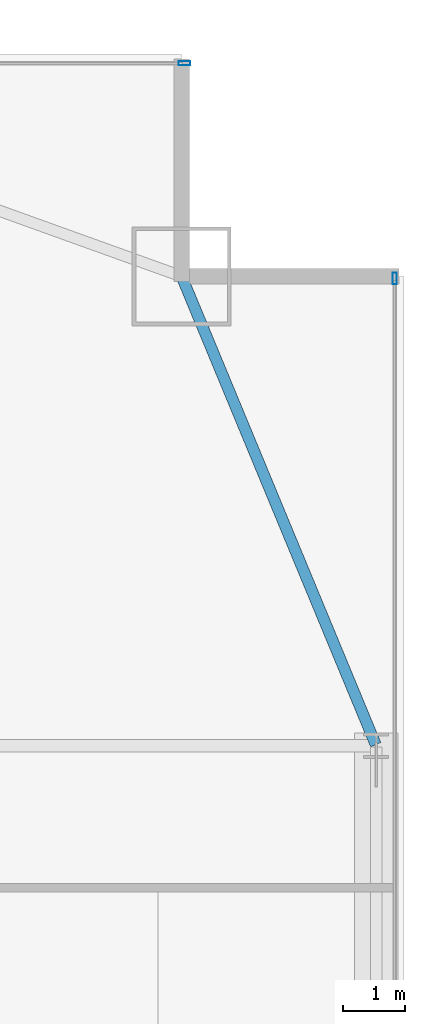
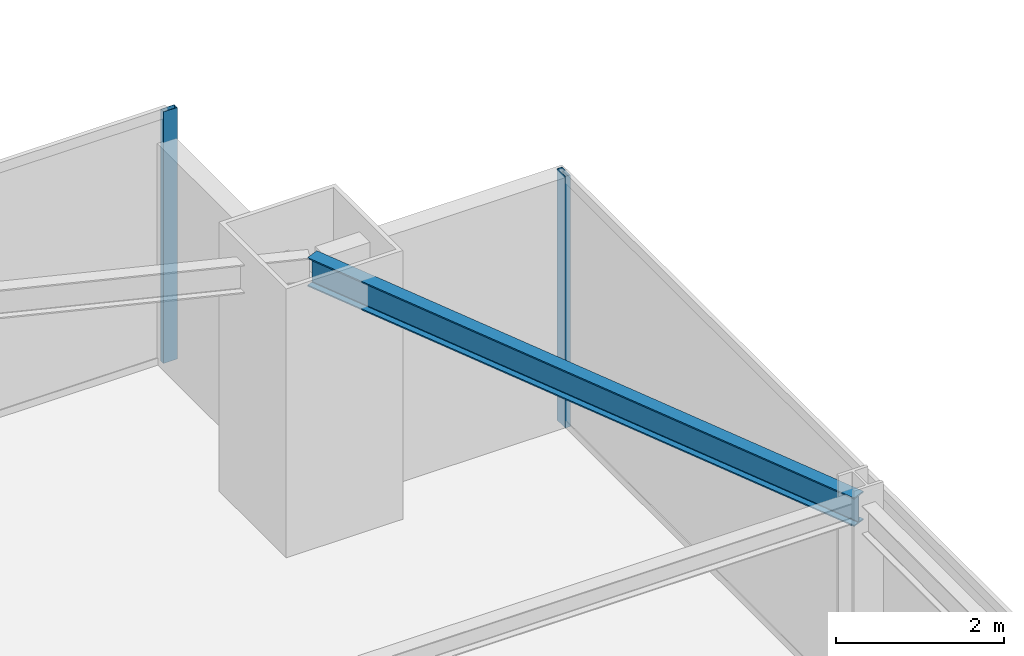
# One storey, part 24 of 32: 2 members, 1 beam, 2 elements without a shape of their own.
"""IFC4 building model written with IfcOpenShell, lengths in metres."""

from ifc_helpers import new_model, si_unit, direction, frame, origin, origin_2d, place, context, subcontext, project, spatial, hollow_rectangle, i_section, extrude, source, transform, mapped, material, layer, layer_set, material_profile, profile_set, type_object, type_shapes, element, aggregate, save


model = new_model("IFC4")

# Units and contexts
model_context = context("Model", 3, precision=1e-05, world=origin(), true_north=direction((0.0, 1.0)))
body_context = subcontext(model_context, "Body", "Model", "MODEL_VIEW")
ifc_project = project(units=[si_unit("LENGTHUNIT", "METRE"), si_unit("AREAUNIT", "SQUARE_METRE"), si_unit("VOLUMEUNIT", "CUBIC_METRE"), si_unit("PLANEANGLEUNIT", "RADIAN"), si_unit("MASSUNIT", "GRAM", prefix="KILO")], contexts=[model_context])

# Site, building, storey
site_placement = place(None, origin())
site = spatial("IfcSite", under=ifc_project, at=site_placement, CompositionType="ELEMENT")
building_placement = place(site_placement, origin())
building = spatial("IfcBuilding", under=site, at=building_placement, Name="Varnel Quay Broadcast Tower", CompositionType="ELEMENT")
storey_placement = place(building_placement, frame((0.0, 0.0, 43.199951171875)))
storey = spatial("IfcBuildingStorey", under=building, at=storey_placement, Name="L09", CompositionType="ELEMENT", Elevation=43.199951171875)

# Beam
ifc_material_1 = material(Name="Structural Steel CSA G40.21 350W", Category="steel")
ifc_material_profile_1 = material_profile(ifc_material_1, i_section(OverallWidth=0.180908203125, OverallDepth=0.4169921875, WebThickness=0.010986328125, FlangeThickness=0.018310546875, FilletRadius=0.011962890625, at=origin_2d()), Name="W410X85")
ifc_profile_set_1 = profile_set([ifc_material_profile_1], Name="Structural Steel CSA G40.21 350W")
beam_type = type_object("IfcBeamType", Name="Beam_W410X85", PredefinedType="SPANDREL", material=ifc_profile_set_1)
shared_shape_1 = source(origin(), body_context, "Body", "SweptSolid", [
    extrude(i_section(OverallWidth=0.180908203125, OverallDepth=0.4169921875, WebThickness=0.010986328125, FlangeThickness=0.018310546875, FilletRadius=0.011962890625, at=origin_2d()), origin(), (0.0, 0.0, 1.0), 8.186767578125),
])
type_shapes(beam_type, [shared_shape_1])
beam_placement = place(storey_placement, frame((65.542236328125, 35.618408203125, 3.441650390625), z_axis=(-0.382874132092, 0.923800519038, 0.0), x_axis=(-0.923800519038, -0.382874132092, 0.0)))
element("IfcBeam", 1, at=beam_placement, inside=storey, type_object=beam_type, Name="L09 East Spandrel TC-E3-MC-NE", PredefinedType="SPANDREL", context=body_context, shape_type="MappedRepresentation", body=[
    mapped(shared_shape_1, transform((0.0, 0.0, 0.0), x_axis=(1.0, 0.0, 0.0), y_axis=(0.0, 1.0, 0.0), z_axis=(0.0, 0.0, 1.0), scale=1.0)),
])

# Curtain wall, member
ifc_material_2 = material(Name="Anodised Bronze Aluminium 6063-T6", Category="aluminium")
ifc_layer = layer(ifc_material_2, 0.18994140625, Name="Anodised Bronze Aluminium 6063-T6")
ifc_layer_set = layer_set([ifc_layer], Name="Anodised Bronze Aluminium 6063-T6")
curtain_wall_type = type_object("IfcCurtainWallType", Name="CW_LowerTower", PredefinedType="NOTDEFINED", material=ifc_layer_set)
curtain_wall_1_placement = place(storey_placement, origin())
curtain_wall_1 = element("IfcCurtainWall", 2, at=curtain_wall_1_placement, inside=storey, type_object=curtain_wall_type, Name="L09 East Unitised Curtain Wall", PredefinedType="NOTDEFINED")
ifc_material_profile_2 = material_profile(ifc_material_2, hollow_rectangle(XDim=0.070068359375, YDim=0.18994140625, WallThickness=0.00390625, at=origin_2d()), Name="ALU70X190X4")
ifc_profile_set_2 = profile_set([ifc_material_profile_2], Name="Anodised Bronze Aluminium 6063-T6")
member_type = type_object("IfcMemberType", Name="Mull_CWS-02", PredefinedType="MULLION", material=ifc_profile_set_2)
shared_shape_2 = source(origin(), body_context, "Body", "SweptSolid", [
    extrude(hollow_rectangle(XDim=0.070068359375, YDim=0.18994140625, WallThickness=0.00390625, at=origin_2d()), origin(), (0.0, 0.0, 1.0), 3.650146484375),
])
type_shapes(member_type, [shared_shape_2])
member_1_placement = place(storey_placement, frame((65.85009765625, 43.1650390625, 0.0), z_axis=(0.0, 0.0, 1.0), x_axis=(-1.0, 0.0, 0.0)))
member_1 = element("IfcMember", 3, at=member_1_placement, type_object=member_type, Name="CWS-02 mullion 4", PredefinedType="MULLION", context=body_context, shape_type="MappedRepresentation", body=[
    mapped(shared_shape_2, transform((0.0, 0.0, 0.0), x_axis=(1.0, 0.0, 0.0), y_axis=(0.0, 1.0, 0.0), z_axis=(0.0, 0.0, 1.0), scale=1.0)),
])
aggregate(curtain_wall_1, [member_1])

curtain_wall_2_placement = place(storey_placement, origin())
curtain_wall_2 = element("IfcCurtainWall", 4, at=curtain_wall_2_placement, inside=storey, type_object=curtain_wall_type, Name="L09 NE Wing Curtain Wall", PredefinedType="NOTDEFINED")
member_2_placement = place(storey_placement, frame((62.445068359375, 46.64990234375, 0.0), z_axis=(0.0, 0.0, 1.0), x_axis=(0.0, 1.0, 0.0)))
member_2 = element("IfcMember", 5, at=member_2_placement, type_object=member_type, Name="CWS-02 mullion 2", PredefinedType="MULLION", context=body_context, shape_type="MappedRepresentation", body=[
    mapped(shared_shape_2, transform((0.0, 0.0, 0.0), x_axis=(1.0, 0.0, 0.0), y_axis=(0.0, 1.0, 0.0), z_axis=(0.0, 0.0, 1.0), scale=1.0)),
])
aggregate(curtain_wall_2, [member_2])

save(model, "model.ifc")
